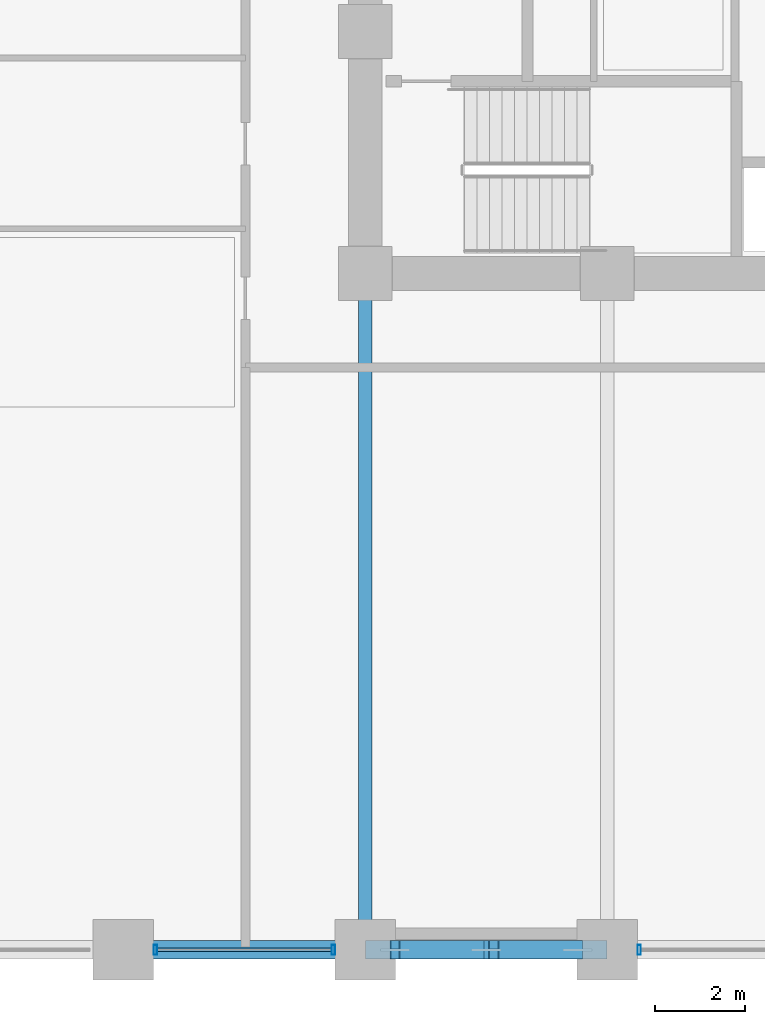
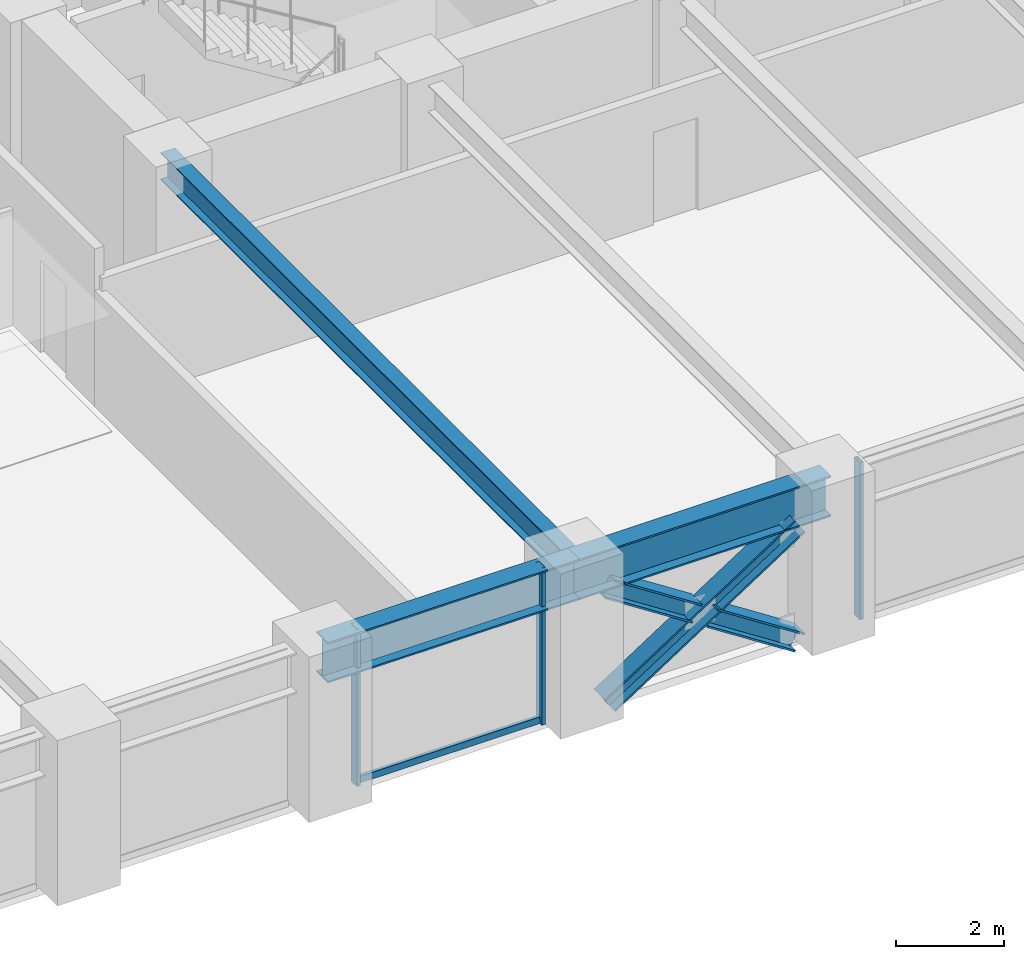
# One storey, part 4 of 25: 7 members, 3 beams, 2 elements without a shape of their own.
"""IFC4 building model written with IfcOpenShell, lengths in metres."""

from ifc_helpers import new_model, si_unit, direction, frame, origin, origin_2d, place, context, subcontext, project, spatial, hollow_rectangle, i_section, extrude, material, layer, layer_set, material_profile, profile_set, type_object, element, aggregate, save


model = new_model("IFC4")

# Units and contexts
model_context = context("Model", 3, precision=1e-05, world=origin(), true_north=direction((0.0, 1.0)))
body_context = subcontext(model_context, "Body", "Model", "MODEL_VIEW")
ifc_project = project(units=[si_unit("LENGTHUNIT", "METRE"), si_unit("AREAUNIT", "SQUARE_METRE"), si_unit("VOLUMEUNIT", "CUBIC_METRE"), si_unit("PLANEANGLEUNIT", "RADIAN"), si_unit("MASSUNIT", "GRAM", prefix="KILO")], contexts=[model_context])

# Site, building, storey
site_placement = place(None, origin())
site = spatial("IfcSite", under=ifc_project, at=site_placement, CompositionType="ELEMENT")
building_placement = place(site_placement, origin())
building = spatial("IfcBuilding", under=site, at=building_placement, Name="Surkhivell Harbour Commons", CompositionType="ELEMENT")
storey_placement = place(building_placement, frame((0.0, 0.0, 41.25)))
storey = spatial("IfcBuildingStorey", under=building, at=storey_placement, Name="L10", CompositionType="ELEMENT", Elevation=41.25)

# Beams
ifc_material_1 = material(Name="Steel S355", Category="steel")
ifc_material_profile_1 = material_profile(ifc_material_1, i_section(OverallWidth=0.306884765625, OverallDepth=0.6201171875, WebThickness=0.01416015625, FlangeThickness=0.023681640625, at=origin_2d()), Name="UB610x305x179")
ifc_profile_set_1 = profile_set([ifc_material_profile_1], Name="Steel S355")
beam_type_1 = type_object("IfcBeamType", Name="BM-GRD-610A", PredefinedType="BEAM", material=ifc_profile_set_1)
beam_1_placement = place(storey_placement, frame((-10.800048828125, -25.89990234375, 3.260009765625), z_axis=(0.0, 1.0, 0.0), x_axis=(-1.0, 0.0, 0.0)))
element("IfcBeam", 1, at=beam_1_placement, inside=storey, type_object=beam_type_1, Name="L10 Floor Girder (-10.8,-25.9)", PredefinedType="BEAM", context=body_context, shape_type="SweptSolid", body=[
    extrude(i_section(OverallWidth=0.306884765625, OverallDepth=0.6201171875, WebThickness=0.01416015625, FlangeThickness=0.023681640625, at=origin_2d()), origin(), (0.0, 0.0, 1.0), 15.099853515625),
])
ifc_material_2 = material(Name="Steel S460", Category="steel")
ifc_material_profile_2 = material_profile(ifc_material_2, i_section(OverallWidth=0.419921875, OverallDepth=0.9208984375, WebThickness=0.021484375, FlangeThickness=0.03662109375, at=origin_2d()), Name="UB914x419x388")
ifc_profile_set_2 = profile_set([ifc_material_profile_2], Name="Steel S460")
beam_type_2 = type_object("IfcBeamType", Name="BM-SPN-914A", PredefinedType="SPANDREL", material=ifc_profile_set_2)
beam_2_placement = place(storey_placement, frame((-16.199951171875, -25.89990234375, 3.109619140625), z_axis=(1.0, 0.0, 0.0), x_axis=(0.0, 1.0, 0.0)))
element("IfcBeam", 2, at=beam_2_placement, inside=storey, type_object=beam_type_2, Name="L10 Tube Spandrel (-16.2,-25.9)", PredefinedType="SPANDREL", context=body_context, shape_type="SweptSolid", body=[
    extrude(i_section(OverallWidth=0.419921875, OverallDepth=0.9208984375, WebThickness=0.021484375, FlangeThickness=0.03662109375, at=origin_2d()), origin(), (0.0, 0.0, 1.0), 5.39990234375),
])
beam_3_placement = place(storey_placement, frame((-10.800048828125, -25.89990234375, 3.109619140625), z_axis=(1.0, 0.0, 0.0), x_axis=(0.0, 1.0, 0.0)))
element("IfcBeam", 3, at=beam_3_placement, inside=storey, type_object=beam_type_2, Name="L10 Tube Spandrel (-10.8,-25.9)", PredefinedType="SPANDREL", context=body_context, shape_type="SweptSolid", body=[
    extrude(i_section(OverallWidth=0.419921875, OverallDepth=0.9208984375, WebThickness=0.021484375, FlangeThickness=0.03662109375, at=origin_2d()), origin(), (0.0, 0.0, 1.0), 5.400146484375),
])

# Curtain wall, members
ifc_material_3 = material(Name="Anodised pale-metal aluminium and insulated glazing", Category="aluminium")
ifc_layer = layer(ifc_material_3, 0.219970703125)
ifc_layer_set = layer_set([ifc_layer], Name="Anodised pale-metal aluminium and insulated glazing")
curtain_wall_type = type_object("IfcCurtainWallType", Name="CW-SYS-Z1", PredefinedType="NOTDEFINED", material=ifc_layer_set)
curtain_wall_1_placement = place(storey_placement, origin())
curtain_wall_1 = element("IfcCurtainWall", 4, at=curtain_wall_1_placement, inside=storey, type_object=curtain_wall_type, Name="L10 Curtain Wall CW-L10-E00S1", PredefinedType="NOTDEFINED")
ifc_material_4 = material(Name="Anodised pale-metal aluminium alloy 6063-T6", Category="aluminium")
ifc_material_profile_3 = material_profile(ifc_material_4, hollow_rectangle(XDim=0.074951171875, YDim=0.219970703125, WallThickness=0.00390625, at=origin_2d()), Name="ALU-MULL-75x220")
ifc_profile_set_3 = profile_set([ifc_material_profile_3], Name="Anodised pale-metal aluminium alloy 6063-T6")
member_type_1 = type_object("IfcMemberType", Name="CWM-220", PredefinedType="MULLION", material=ifc_profile_set_3)
member_1_placement = place(storey_placement, frame((-15.485595703125, -25.89990234375, 0.0), z_axis=(0.0, 0.0, 1.0), x_axis=(1.0, 0.0, 0.0)))
member_1 = element("IfcMember", 5, at=member_1_placement, type_object=member_type_1, Name="CW-Z1 mullion 3", PredefinedType="MULLION", context=body_context, shape_type="SweptSolid", body=[
    extrude(hollow_rectangle(XDim=0.074951171875, YDim=0.219970703125, WallThickness=0.00390625, at=origin_2d()), origin(), (0.0, 0.0, 1.0), 3.570068359375),
])
member_2_placement = place(storey_placement, frame((-11.514404296875, -25.89990234375, 0.0), z_axis=(0.0, 0.0, 1.0), x_axis=(1.0, 0.0, 0.0)))
member_2 = element("IfcMember", 6, at=member_2_placement, type_object=member_type_1, Name="CW-Z1 mullion 4", PredefinedType="MULLION", context=body_context, shape_type="SweptSolid", body=[
    extrude(hollow_rectangle(XDim=0.074951171875, YDim=0.219970703125, WallThickness=0.00390625, at=origin_2d()), origin(), (0.0, 0.0, 1.0), 3.570068359375),
])

# Curtain wall, member
curtain_wall_2_placement = place(storey_placement, origin())
curtain_wall_2 = element("IfcCurtainWall", 7, at=curtain_wall_2_placement, inside=storey, type_object=curtain_wall_type, Name="L10 Curtain Wall CW-L10-E00S2", PredefinedType="NOTDEFINED")
member_3_placement = place(storey_placement, frame((-4.685546875, -25.89990234375, 0.0), z_axis=(0.0, 0.0, 1.0), x_axis=(1.0, 0.0, 0.0)))
member_3 = element("IfcMember", 8, at=member_3_placement, type_object=member_type_1, Name="CW-Z1 mullion 1", PredefinedType="MULLION", context=body_context, shape_type="SweptSolid", body=[
    extrude(hollow_rectangle(XDim=0.074951171875, YDim=0.219970703125, WallThickness=0.00390625, at=origin_2d()), origin(), (0.0, 0.0, 1.0), 3.570068359375),
])
aggregate(curtain_wall_2, [member_3])

# Member
ifc_material_profile_4 = material_profile(ifc_material_4, hollow_rectangle(XDim=0.074951171875, YDim=0.14990234375, WallThickness=0.00341796875, at=origin_2d()), Name="ALU-TRAN-75x150")
ifc_profile_set_4 = profile_set([ifc_material_profile_4], Name="Anodised pale-metal aluminium alloy 6063-T6")
member_type_2 = type_object("IfcMemberType", Name="CWT-150", PredefinedType="USERDEFINED", material=ifc_profile_set_4)
member_4_placement = place(storey_placement, frame((-15.447998046875, -25.89990234375, 0.074951171875), z_axis=(1.0, 0.0, 0.0), x_axis=(0.0, 1.0, 0.0)))
member_4 = element("IfcMember", 9, at=member_4_placement, type_object=member_type_2, Name="CW-Z1 transom 3.1", ObjectType="TRANSOM", PredefinedType="USERDEFINED", context=body_context, shape_type="SweptSolid", body=[
    extrude(hollow_rectangle(XDim=0.074951171875, YDim=0.14990234375, WallThickness=0.00341796875, at=origin_2d()), origin(), (0.0, 0.0, 1.0), 3.89599609375),
])

aggregate(curtain_wall_1, [member_1, member_2, member_4])

# Members
ifc_material_profile_5 = material_profile(ifc_material_2, i_section(OverallWidth=0.406005859375, OverallDepth=0.416015625, WebThickness=0.026611328125, FlangeThickness=0.0390625, at=origin_2d()), Name="HD400x382")
ifc_profile_set_5 = profile_set([ifc_material_profile_5], Name="Steel S460")
member_type_3 = type_object("IfcMemberType", Name="MEM-BRC-HD382", PredefinedType="BRACE", material=ifc_profile_set_5)
member_5_placement = place(storey_placement, frame((-10.139892578125, -25.89990234375, 0.008056640625), z_axis=(0.839088897369, 0.0, 0.543994321949), x_axis=(0.0, 1.0, 0.0)))
element("IfcMember", 10, at=member_5_placement, inside=storey, type_object=member_type_3, Name="L10 Perimeter Mega-Brace MB- 07", PredefinedType="BRACE", context=body_context, shape_type="SweptSolid", body=[
    extrude(i_section(OverallWidth=0.406005859375, OverallDepth=0.416015625, WebThickness=0.026611328125, FlangeThickness=0.0390625, at=origin_2d()), origin(), (0.0, 0.0, 1.0), 4.8623046875),
])
for number, where, z_axis, x_axis, name in (
    (11, (-6.06005859375, -25.89990234375, 0.008056640625), (-0.83908547242, 0.0, 0.543999604756), (0.0, -1.0, 0.0), "L10 Perimeter Mega-Brace MB- 08"),
    (12, (-8.267578125, -25.89990234375, 1.439208984375), (-0.83908547242, 0.0, 0.543999604756), (0.0, -1.0, 0.0), "L10 Perimeter Mega-Brace MB- 09"),
):
    element("IfcMember", number, at=place(storey_placement, frame(where, z_axis=z_axis, x_axis=x_axis)), inside=storey, type_object=member_type_3, Name=name, PredefinedType="BRACE", context=body_context, shape_type="SweptSolid", body=[
        extrude(i_section(OverallWidth=0.406005859375, OverallDepth=0.416015625, WebThickness=0.026611328125, FlangeThickness=0.0390625, at=origin_2d()), origin(), (0.0, 0.0, 1.0), 2.2314453125),
    ])

save(model, "model.ifc")
